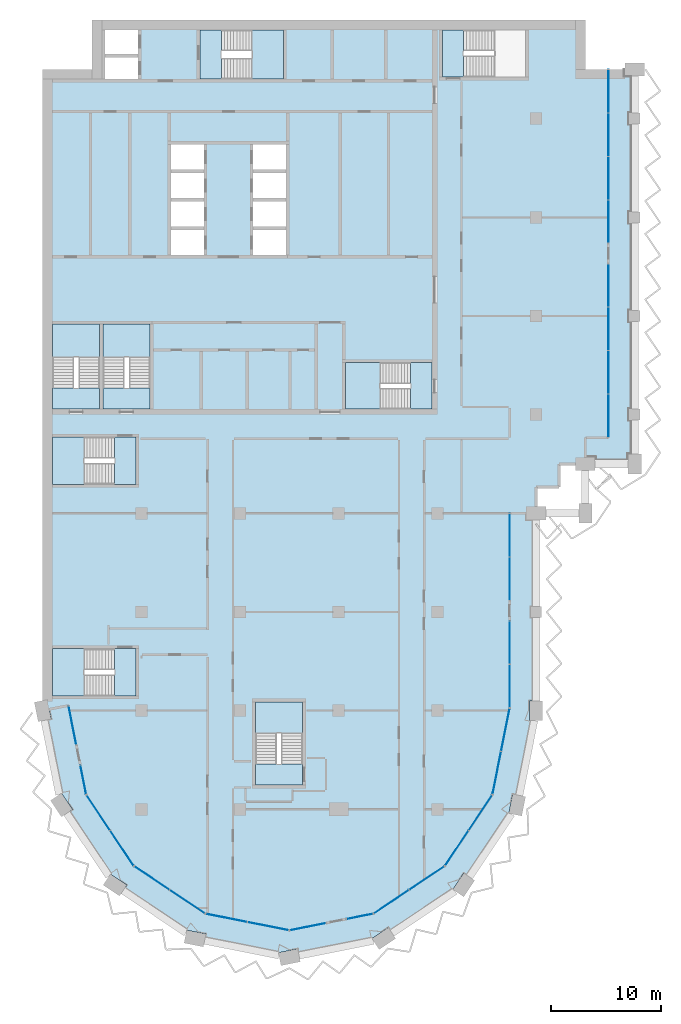
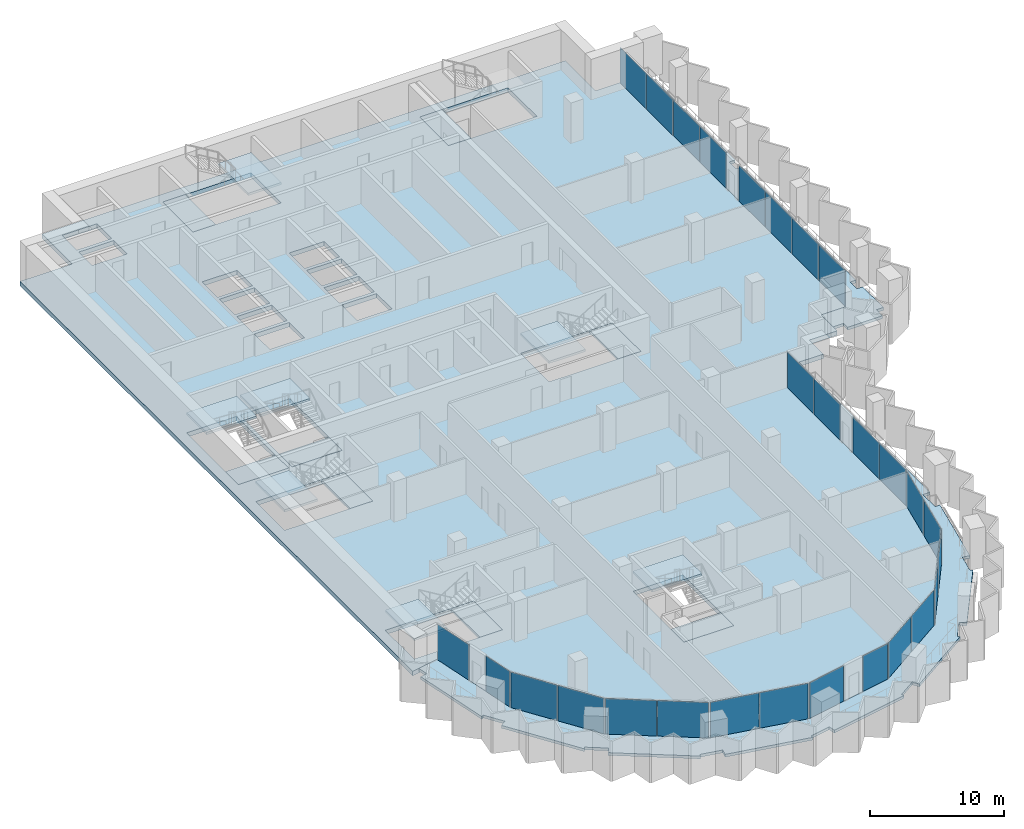
# One storey, part 6 of 17: 28 plates, 18 slabs, 21 elements without a shape of their own.
"""IFC4 building model written with IfcOpenShell, lengths in metres."""

from ifc_helpers import new_model, si_unit, direction, frame, origin, origin_2d, place, context, subcontext, project, spatial, polyline, rectangle, outline, extrude, material, layer, layer_set, type_object, element, aggregate, save


model = new_model("IFC4")

# Units and contexts
model_context = context("Model", 3, precision=1e-05, world=origin(), true_north=direction((0.0, 1.0)))
body_context = subcontext(model_context, "Body", "Model", "MODEL_VIEW")
ifc_project = project(units=[si_unit("LENGTHUNIT", "METRE"), si_unit("AREAUNIT", "SQUARE_METRE"), si_unit("VOLUMEUNIT", "CUBIC_METRE"), si_unit("PLANEANGLEUNIT", "RADIAN"), si_unit("MASSUNIT", "GRAM", prefix="KILO")], contexts=[model_context])

# Site, building, storey
site_placement = place(None, origin())
site = spatial("IfcSite", under=ifc_project, at=site_placement, CompositionType="ELEMENT")
building_placement = place(site_placement, origin())
building = spatial("IfcBuilding", under=site, at=building_placement, Name="Hunhe Ridgeline Campus", CompositionType="ELEMENT")
storey_placement = place(building_placement, frame((0.0, 0.0, 190.199951171875)))
storey = spatial("IfcBuildingStorey", under=building, at=storey_placement, Name="L48", CompositionType="ELEMENT", Elevation=190.199951171875)

# Curtain wall, plate
ifc_material_1 = material(Name="Aluminium 6063", Category="aluminium")
curtain_wall_type_1 = type_object("IfcCurtainWallType", Name="Curtain wall CW-5", PredefinedType="NOTDEFINED", material=ifc_material_1)
curtain_wall_1_placement = place(storey_placement, origin())
curtain_wall_1 = element("IfcCurtainWall", 1, at=curtain_wall_1_placement, inside=storey, type_object=curtain_wall_type_1, Name="Curtain wall 01", PredefinedType="NOTDEFINED")
ifc_material_2 = material(Name="Low-e laminated glass", Category="glass")
ifc_layer_1 = layer(ifc_material_2, 0.028076171875)
ifc_layer_set_1 = layer_set([ifc_layer_1], Name="Curtain wall glass panel 28 low-e laminated")
plate_type = type_object("IfcPlateType", Name="Curtain wall glass panel 28 low-e laminated", PredefinedType="CURTAIN_PANEL", material=ifc_layer_set_1)
plate_1_placement = place(storey_placement, frame((2.7158203125, 34.65380859375, 0.0), z_axis=(0.0, 0.0, 1.0), x_axis=(0.195095326561, -0.980784284924, 0.0)))
plate_1 = element("IfcPlate", 2, at=plate_1_placement, type_object=plate_type, Name="CW-5 panel 1", PredefinedType="CURTAIN_PANEL", context=body_context, shape_type="SweptSolid", body=[
    extrude(rectangle(XDim=3.560791015625, YDim=0.028076171875, at=origin_2d()), origin(), (0.0, 0.0, 1.0), 3.22998046875),
])
aggregate(curtain_wall_1, [plate_1])

curtain_wall_2_placement = place(storey_placement, origin())
curtain_wall_2 = element("IfcCurtainWall", 3, at=curtain_wall_2_placement, inside=storey, type_object=curtain_wall_type_1, Name="Curtain wall 02", PredefinedType="NOTDEFINED")
plate_2_placement = place(storey_placement, frame((3.701171875, 29.699951171875, 0.0), z_axis=(0.0, 0.0, 1.0), x_axis=(0.195095265587, -0.980784297053, 0.0)))
plate_2 = element("IfcPlate", 4, at=plate_2_placement, type_object=plate_type, Name="CW-5 panel 1", PredefinedType="CURTAIN_PANEL", context=body_context, shape_type="SweptSolid", body=[
    extrude(rectangle(XDim=2.660888671875, YDim=0.028076171875, at=origin_2d()), origin(), (0.0, 0.0, 1.0), 3.22998046875),
])
aggregate(curtain_wall_2, [plate_2])

# Curtain wall, plates
curtain_wall_3_placement = place(storey_placement, origin())
curtain_wall_3 = element("IfcCurtainWall", 5, at=curtain_wall_3_placement, inside=storey, type_object=curtain_wall_type_1, Name="Curtain wall 03", PredefinedType="NOTDEFINED")
plate_3_placement = place(storey_placement, frame((5.07080078125, 26.685546875, 0.0), z_axis=(0.0, 0.0, 1.0), x_axis=(0.555570274596, -0.831469584522, 0.0)))
plate_3 = element("IfcPlate", 6, at=plate_3_placement, type_object=plate_type, Name="CW-5 panel 1", PredefinedType="CURTAIN_PANEL", context=body_context, shape_type="SweptSolid", body=[
    extrude(rectangle(XDim=3.806884765625, YDim=0.028076171875, at=origin_2d()), origin(), (0.0, 0.0, 1.0), 3.22998046875),
])
plate_4_placement = place(storey_placement, frame((7.224609375, 23.4619140625, 0.0), z_axis=(0.0, 0.0, 1.0), x_axis=(0.555570274596, -0.831469584522, 0.0)))
plate_4 = element("IfcPlate", 7, at=plate_4_placement, type_object=plate_type, Name="CW-5 panel 2", PredefinedType="CURTAIN_PANEL", context=body_context, shape_type="SweptSolid", body=[
    extrude(rectangle(XDim=3.806884765625, YDim=0.028076171875, at=origin_2d()), origin(), (0.0, 0.0, 1.0), 3.22998046875),
])
aggregate(curtain_wall_3, [plate_3, plate_4])

curtain_wall_4_placement = place(storey_placement, origin())
curtain_wall_4 = element("IfcCurtainWall", 8, at=curtain_wall_4_placement, inside=storey, type_object=curtain_wall_type_1, Name="Curtain wall 04", PredefinedType="NOTDEFINED")
plate_5_placement = place(storey_placement, frame((9.9619140625, 20.724609375, 0.0), z_axis=(0.0, 0.0, 1.0), x_axis=(0.831469584522, -0.555570274596, 0.0)))
plate_5 = element("IfcPlate", 9, at=plate_5_placement, type_object=plate_type, Name="CW-5 panel 1", PredefinedType="CURTAIN_PANEL", context=body_context, shape_type="SweptSolid", body=[
    extrude(rectangle(XDim=3.806884765625, YDim=0.028076171875, at=origin_2d()), origin(), (0.0, 0.0, 1.0), 3.22998046875),
])
plate_6_placement = place(storey_placement, frame((13.185546875, 18.57080078125, 0.0), z_axis=(0.0, 0.0, 1.0), x_axis=(0.831469584522, -0.555570274596, 0.0)))
plate_6 = element("IfcPlate", 10, at=plate_6_placement, type_object=plate_type, Name="CW-5 panel 2", PredefinedType="CURTAIN_PANEL", context=body_context, shape_type="SweptSolid", body=[
    extrude(rectangle(XDim=3.806884765625, YDim=0.028076171875, at=origin_2d()), origin(), (0.0, 0.0, 1.0), 3.22998046875),
])
aggregate(curtain_wall_4, [plate_5, plate_6])

curtain_wall_5_placement = place(storey_placement, origin())
curtain_wall_5 = element("IfcCurtainWall", 11, at=curtain_wall_5_placement, inside=storey, type_object=curtain_wall_type_1, Name="Curtain wall 05", PredefinedType="NOTDEFINED")
plate_7_placement = place(storey_placement, frame((16.761962890625, 17.08935546875, 0.0), z_axis=(0.0, 0.0, 1.0), x_axis=(0.980785275326, -0.195090347539, 0.0)))
plate_7 = element("IfcPlate", 12, at=plate_7_placement, type_object=plate_type, Name="CW-5 panel 1", PredefinedType="CURTAIN_PANEL", context=body_context, shape_type="SweptSolid", body=[
    extrude(rectangle(XDim=3.806884765625, YDim=0.028076171875, at=origin_2d()), origin(), (0.0, 0.0, 1.0), 3.22998046875),
])
plate_8_placement = place(storey_placement, frame((20.564453125, 16.3330078125, 0.0), z_axis=(0.0, 0.0, 1.0), x_axis=(0.980785275326, -0.195090347539, 0.0)))
plate_8 = element("IfcPlate", 13, at=plate_8_placement, type_object=plate_type, Name="CW-5 panel 2", PredefinedType="CURTAIN_PANEL", context=body_context, shape_type="SweptSolid", body=[
    extrude(rectangle(XDim=3.806884765625, YDim=0.028076171875, at=origin_2d()), origin(), (0.0, 0.0, 1.0), 3.22998046875),
])
aggregate(curtain_wall_5, [plate_7, plate_8])

# Curtain wall, plate
curtain_wall_6_placement = place(storey_placement, origin())
curtain_wall_6 = element("IfcCurtainWall", 14, at=curtain_wall_6_placement, inside=storey, type_object=curtain_wall_type_1, Name="Curtain wall 06", PredefinedType="NOTDEFINED")
plate_9_placement = place(storey_placement, frame((24.19775390625, 16.28564453125, 0.0), z_axis=(0.0, 0.0, 1.0), x_axis=(0.980785270791, 0.19509037034, 0.0)))
plate_9 = element("IfcPlate", 15, at=plate_9_placement, type_object=plate_type, Name="CW-5 panel 1", PredefinedType="CURTAIN_PANEL", context=body_context, shape_type="SweptSolid", body=[
    extrude(rectangle(XDim=3.322021484375, YDim=0.028076171875, at=origin_2d()), origin(), (0.0, 0.0, 1.0), 3.22998046875),
])
aggregate(curtain_wall_6, [plate_9])

curtain_wall_7_placement = place(storey_placement, origin())
curtain_wall_7 = element("IfcCurtainWall", 16, at=curtain_wall_7_placement, inside=storey, type_object=curtain_wall_type_1, Name="Curtain wall 07", PredefinedType="NOTDEFINED")
plate_10_placement = place(storey_placement, frame((28.917236328125, 17.224609375, 0.0), z_axis=(0.0, 0.0, 1.0), x_axis=(0.980785242091, 0.195090514627, 0.0)))
plate_10 = element("IfcPlate", 17, at=plate_10_placement, type_object=plate_type, Name="CW-5 panel 1", PredefinedType="CURTAIN_PANEL", context=body_context, shape_type="SweptSolid", body=[
    extrude(rectangle(XDim=2.421875, YDim=0.028076171875, at=origin_2d()), origin(), (0.0, 0.0, 1.0), 3.22998046875),
])
aggregate(curtain_wall_7, [plate_10])

# Curtain wall, plates
curtain_wall_8_placement = place(storey_placement, origin())
curtain_wall_8 = element("IfcCurtainWall", 18, at=curtain_wall_8_placement, inside=storey, type_object=curtain_wall_type_1, Name="Curtain wall 08", PredefinedType="NOTDEFINED")
plate_11_placement = place(storey_placement, frame((31.814453125, 18.57080078125, 0.0), z_axis=(0.0, 0.0, 1.0), x_axis=(0.831469584522, 0.555570274596, 0.0)))
plate_11 = element("IfcPlate", 19, at=plate_11_placement, type_object=plate_type, Name="CW-5 panel 1", PredefinedType="CURTAIN_PANEL", context=body_context, shape_type="SweptSolid", body=[
    extrude(rectangle(XDim=3.806884765625, YDim=0.028076171875, at=origin_2d()), origin(), (0.0, 0.0, 1.0), 3.22998046875),
])
plate_12_placement = place(storey_placement, frame((35.0380859375, 20.724609375, 0.0), z_axis=(0.0, 0.0, 1.0), x_axis=(0.831469584522, 0.555570274596, 0.0)))
plate_12 = element("IfcPlate", 20, at=plate_12_placement, type_object=plate_type, Name="CW-5 panel 2", PredefinedType="CURTAIN_PANEL", context=body_context, shape_type="SweptSolid", body=[
    extrude(rectangle(XDim=3.806884765625, YDim=0.028076171875, at=origin_2d()), origin(), (0.0, 0.0, 1.0), 3.22998046875),
])
aggregate(curtain_wall_8, [plate_11, plate_12])

curtain_wall_9_placement = place(storey_placement, origin())
curtain_wall_9 = element("IfcCurtainWall", 21, at=curtain_wall_9_placement, inside=storey, type_object=curtain_wall_type_1, Name="Curtain wall 09", PredefinedType="NOTDEFINED")
plate_13_placement = place(storey_placement, frame((37.775390625, 23.4619140625, 0.0), z_axis=(0.0, 0.0, 1.0), x_axis=(0.555570274596, 0.831469584522, 0.0)))
plate_13 = element("IfcPlate", 22, at=plate_13_placement, type_object=plate_type, Name="CW-5 panel 1", PredefinedType="CURTAIN_PANEL", context=body_context, shape_type="SweptSolid", body=[
    extrude(rectangle(XDim=3.806884765625, YDim=0.028076171875, at=origin_2d()), origin(), (0.0, 0.0, 1.0), 3.22998046875),
])
plate_14_placement = place(storey_placement, frame((39.92919921875, 26.685546875, 0.0), z_axis=(0.0, 0.0, 1.0), x_axis=(0.555570274596, 0.831469584522, 0.0)))
plate_14 = element("IfcPlate", 23, at=plate_14_placement, type_object=plate_type, Name="CW-5 panel 2", PredefinedType="CURTAIN_PANEL", context=body_context, shape_type="SweptSolid", body=[
    extrude(rectangle(XDim=3.806884765625, YDim=0.028076171875, at=origin_2d()), origin(), (0.0, 0.0, 1.0), 3.22998046875),
])
aggregate(curtain_wall_9, [plate_13, plate_14])

curtain_wall_10_placement = place(storey_placement, origin())
curtain_wall_10 = element("IfcCurtainWall", 24, at=curtain_wall_10_placement, inside=storey, type_object=curtain_wall_type_1, Name="Curtain wall 10", PredefinedType="NOTDEFINED")
plate_15_placement = place(storey_placement, frame((41.42236328125, 30.321044921875, 0.0), z_axis=(0.0, 0.0, 1.0), x_axis=(0.195090299215, 0.980785284939, 0.0)))
plate_15 = element("IfcPlate", 25, at=plate_15_placement, type_object=plate_type, Name="CW-5 panel 1", PredefinedType="CURTAIN_PANEL", context=body_context, shape_type="SweptSolid", body=[
    extrude(rectangle(XDim=3.927490234375, YDim=0.028076171875, at=origin_2d()), origin(), (0.0, 0.0, 1.0), 3.22998046875),
])
plate_16_placement = place(storey_placement, frame((42.2021484375, 34.24169921875, 0.0), z_axis=(0.0, 0.0, 1.0), x_axis=(0.195090299215, 0.980785284939, 0.0)))
plate_16 = element("IfcPlate", 26, at=plate_16_placement, type_object=plate_type, Name="CW-5 panel 2", PredefinedType="CURTAIN_PANEL", context=body_context, shape_type="SweptSolid", body=[
    extrude(rectangle(XDim=3.927490234375, YDim=0.028076171875, at=origin_2d()), origin(), (0.0, 0.0, 1.0), 3.22998046875),
])
aggregate(curtain_wall_10, [plate_15, plate_16])

curtain_wall_type_2 = type_object("IfcCurtainWallType", Name="Curtain wall CW-1", PredefinedType="NOTDEFINED", material=ifc_material_1)
curtain_wall_11_placement = place(storey_placement, origin())
curtain_wall_11 = element("IfcCurtainWall", 27, at=curtain_wall_11_placement, inside=storey, type_object=curtain_wall_type_2, Name="Curtain wall 11", PredefinedType="NOTDEFINED")
plate_17_placement = place(storey_placement, frame((42.59912109375, 38.2470703125, 0.0), z_axis=(0.0, 0.0, 1.0), x_axis=(6.639948e-06, 0.999999999978, 0.0)))
plate_17 = element("IfcPlate", 28, at=plate_17_placement, type_object=plate_type, Name="CW-1 panel 1", PredefinedType="CURTAIN_PANEL", context=body_context, shape_type="SweptSolid", body=[
    extrude(rectangle(XDim=3.90087890625, YDim=0.028076171875, at=origin_2d()), origin(), (0.0, 0.0, 1.0), 3.239990234375),
])
plate_18_placement = place(storey_placement, frame((42.59912109375, 42.2080078125, 0.0), z_axis=(0.0, 0.0, 1.0), x_axis=(6.639948e-06, 0.999999999978, 0.0)))
plate_18 = element("IfcPlate", 29, at=plate_18_placement, type_object=plate_type, Name="CW-1 panel 2", PredefinedType="CURTAIN_PANEL", context=body_context, shape_type="SweptSolid", body=[
    extrude(rectangle(XDim=3.90087890625, YDim=0.028076171875, at=origin_2d()), origin(), (0.0, 0.0, 1.0), 3.239990234375),
])
aggregate(curtain_wall_11, [plate_17, plate_18])

curtain_wall_12_placement = place(storey_placement, origin())
curtain_wall_12 = element("IfcCurtainWall", 30, at=curtain_wall_12_placement, inside=storey, type_object=curtain_wall_type_2, Name="Curtain wall 12", PredefinedType="NOTDEFINED")
plate_19_placement = place(storey_placement, frame((42.59912109375, 48.029052734375, 0.0), z_axis=(0.0, 0.0, 1.0), x_axis=(6.639948e-06, 0.999999999978, 0.0)))
plate_19 = element("IfcPlate", 31, at=plate_19_placement, type_object=plate_type, Name="CW-1 panel 1", PredefinedType="CURTAIN_PANEL", context=body_context, shape_type="SweptSolid", body=[
    extrude(rectangle(XDim=3.90087890625, YDim=0.028076171875, at=origin_2d()), origin(), (0.0, 0.0, 1.0), 3.239990234375),
])
plate_20_placement = place(storey_placement, frame((42.59912109375, 51.989990234375, 0.0), z_axis=(0.0, 0.0, 1.0), x_axis=(6.639948e-06, 0.999999999978, 0.0)))
plate_20 = element("IfcPlate", 32, at=plate_20_placement, type_object=plate_type, Name="CW-1 panel 2", PredefinedType="CURTAIN_PANEL", context=body_context, shape_type="SweptSolid", body=[
    extrude(rectangle(XDim=3.90087890625, YDim=0.028076171875, at=origin_2d()), origin(), (0.0, 0.0, 1.0), 3.239990234375),
])
aggregate(curtain_wall_12, [plate_19, plate_20])

curtain_wall_13_placement = place(storey_placement, origin())
curtain_wall_13 = element("IfcCurtainWall", 33, at=curtain_wall_13_placement, inside=storey, type_object=curtain_wall_type_2, Name="Curtain wall 13", PredefinedType="NOTDEFINED")
plate_21_placement = place(storey_placement, frame((51.59912109375, 62.9033203125, 0.0), z_axis=(0.0, 0.0, 1.0), x_axis=(0.0, 1.0, 0.0)))
plate_21 = element("IfcPlate", 34, at=plate_21_placement, type_object=plate_type, Name="CW-1 panel 1", PredefinedType="CURTAIN_PANEL", context=body_context, shape_type="SweptSolid", body=[
    extrude(rectangle(XDim=3.884765625, YDim=0.028076171875, at=origin_2d()), origin(), (0.0, 0.0, 1.0), 3.239990234375),
])
plate_22_placement = place(storey_placement, frame((51.59912109375, 66.86328125, 0.0), z_axis=(0.0, 0.0, 1.0), x_axis=(0.0, 1.0, 0.0)))
plate_22 = element("IfcPlate", 35, at=plate_22_placement, type_object=plate_type, Name="CW-1 panel 2", PredefinedType="CURTAIN_PANEL", context=body_context, shape_type="SweptSolid", body=[
    extrude(rectangle(XDim=3.914794921875, YDim=0.028076171875, at=origin_2d()), origin(), (0.0, 0.0, 1.0), 3.239990234375),
])
plate_23_placement = place(storey_placement, frame((51.59912109375, 70.838134765625, 0.0), z_axis=(0.0, 0.0, 1.0), x_axis=(0.0, 1.0, 0.0)))
plate_23 = element("IfcPlate", 36, at=plate_23_placement, type_object=plate_type, Name="CW-1 panel 3", PredefinedType="CURTAIN_PANEL", context=body_context, shape_type="SweptSolid", body=[
    extrude(rectangle(XDim=3.914794921875, YDim=0.028076171875, at=origin_2d()), origin(), (0.0, 0.0, 1.0), 3.239990234375),
])
plate_24_placement = place(storey_placement, frame((51.59912109375, 74.798095703125, 0.0), z_axis=(0.0, 0.0, 1.0), x_axis=(0.0, 1.0, 0.0)))
plate_24 = element("IfcPlate", 37, at=plate_24_placement, type_object=plate_type, Name="CW-1 panel 4", PredefinedType="CURTAIN_PANEL", context=body_context, shape_type="SweptSolid", body=[
    extrude(rectangle(XDim=3.884765625, YDim=0.028076171875, at=origin_2d()), origin(), (0.0, 0.0, 1.0), 3.239990234375),
])
aggregate(curtain_wall_13, [plate_21, plate_22, plate_23, plate_24])

curtain_wall_14_placement = place(storey_placement, origin())
curtain_wall_14 = element("IfcCurtainWall", 38, at=curtain_wall_14_placement, inside=storey, type_object=curtain_wall_type_2, Name="Curtain wall 14", PredefinedType="NOTDEFINED")
plate_25_placement = place(storey_placement, frame((51.59912109375, 80.60302734375, 0.0), z_axis=(0.0, 0.0, 1.0), x_axis=(0.0, 1.0, 0.0)))
plate_25 = element("IfcPlate", 39, at=plate_25_placement, type_object=plate_type, Name="CW-1 panel 1", PredefinedType="CURTAIN_PANEL", context=body_context, shape_type="SweptSolid", body=[
    extrude(rectangle(XDim=3.884765625, YDim=0.028076171875, at=origin_2d()), origin(), (0.0, 0.0, 1.0), 3.239990234375),
])
plate_26_placement = place(storey_placement, frame((51.59912109375, 84.562744140625, 0.0), z_axis=(0.0, 0.0, 1.0), x_axis=(0.0, 1.0, 0.0)))
plate_26 = element("IfcPlate", 40, at=plate_26_placement, type_object=plate_type, Name="CW-1 panel 2", PredefinedType="CURTAIN_PANEL", context=body_context, shape_type="SweptSolid", body=[
    extrude(rectangle(XDim=3.914794921875, YDim=0.028076171875, at=origin_2d()), origin(), (0.0, 0.0, 1.0), 3.239990234375),
])
plate_27_placement = place(storey_placement, frame((51.59912109375, 88.53759765625, 0.0), z_axis=(0.0, 0.0, 1.0), x_axis=(0.0, 1.0, 0.0)))
plate_27 = element("IfcPlate", 41, at=plate_27_placement, type_object=plate_type, Name="CW-1 panel 3", PredefinedType="CURTAIN_PANEL", context=body_context, shape_type="SweptSolid", body=[
    extrude(rectangle(XDim=3.914794921875, YDim=0.028076171875, at=origin_2d()), origin(), (0.0, 0.0, 1.0), 3.239990234375),
])
plate_28_placement = place(storey_placement, frame((51.59912109375, 92.49755859375, 0.0), z_axis=(0.0, 0.0, 1.0), x_axis=(0.0, 1.0, 0.0)))
plate_28 = element("IfcPlate", 42, at=plate_28_placement, type_object=plate_type, Name="CW-1 panel 4", PredefinedType="CURTAIN_PANEL", context=body_context, shape_type="SweptSolid", body=[
    extrude(rectangle(XDim=3.884765625, YDim=0.028076171875, at=origin_2d()), origin(), (0.0, 0.0, 1.0), 3.239990234375),
])
aggregate(curtain_wall_14, [plate_25, plate_26, plate_27, plate_28])

# Slabs
ifc_material_3 = material(Name="Concrete C40", Category="concrete")
ifc_layer_2 = layer(ifc_material_3, 0.39990234375)
ifc_layer_set_2 = layer_set([ifc_layer_2], Name="Floor slab 400 Concrete C40")
slab_type_1 = type_object("IfcSlabType", Name="Floor slab 400 Concrete C40", PredefinedType="FLOOR", material=ifc_layer_set_2)
slab_1_placement = place(storey_placement, frame((0.0, 0.0, -0.39990234375)))
element("IfcSlab", 43, at=slab_1_placement, inside=storey, type_object=slab_type_1, Name="Floor slab L48 1", PredefinedType="FLOOR", context=body_context, shape_type="SweptSolid", body=[
    extrude(outline(polyline([(30.173583984375, 17.474365234375), (36.678955078125, 21.821044921875), (41.025634765625, 28.326416015625), (42.59912109375, 36.236572265625), (42.59912109375, 54.00048828125), (44.9990234375, 54.0009765625), (44.999267578125, 56.400634765625), (47.09912109375, 56.40087890625), (47.099609375, 58.5009765625), (49.4990234375, 58.5009765625), (49.49951171875, 60.90087890625), (51.59912109375, 60.90087890625), (51.59912109375, 94.5), (49.5, 94.5), (49.5, 99.0), (4.5, 99.0), (4.5, 94.5), (0.0, 94.5), (0.0, 36.0009765625), (2.354736328125, 36.46875), (3.974365234375, 28.326416015625), (8.321044921875, 21.821044921875), (14.826416015625, 17.474365234375), (22.5, 15.947998046875), (30.173583984375, 17.474365234375)]), holes=[polyline([(36.449951171875, 93.800048828125), (44.050048828125, 93.800048828125), (44.050048828125, 98.10009765625), (36.449951171875, 98.10009765625), (36.449951171875, 93.800048828125)]), polyline([(35.5, 63.5), (35.5, 67.75), (27.60009765625, 67.75), (27.60009765625, 63.5), (35.5, 63.5)]), polyline([(19.39990234375, 29.199951171875), (23.699951171875, 29.199951171875), (23.699951171875, 36.800048828125), (19.39990234375, 36.800048828125), (19.39990234375, 29.199951171875)]), polyline([(22.199951171875, 80.14990234375), (22.199951171875, 82.449951171875), (19.199951171875, 82.449951171875), (19.199951171875, 80.14990234375), (22.199951171875, 80.14990234375)]), polyline([(22.199951171875, 79.85009765625), (19.199951171875, 79.85009765625), (19.199951171875, 77.550048828125), (22.199951171875, 77.550048828125), (22.199951171875, 79.85009765625)]), polyline([(19.199951171875, 87.64990234375), (19.199951171875, 85.35009765625), (22.199951171875, 85.35009765625), (22.199951171875, 87.64990234375), (19.199951171875, 87.64990234375)]), polyline([(19.199951171875, 82.75), (22.199951171875, 82.75), (22.199951171875, 85.050048828125), (19.199951171875, 85.050048828125), (19.199951171875, 82.75)]), polyline([(14.35009765625, 93.60009765625), (21.949951171875, 93.60009765625), (21.949951171875, 98.10009765625), (14.35009765625, 98.10009765625), (14.35009765625, 93.60009765625)]), polyline([(14.699951171875, 79.85009765625), (11.699951171875, 79.85009765625), (11.699951171875, 77.550048828125), (14.699951171875, 77.550048828125), (14.699951171875, 79.85009765625)]), polyline([(14.699951171875, 80.14990234375), (14.699951171875, 82.449951171875), (11.699951171875, 82.449951171875), (11.699951171875, 80.14990234375), (14.699951171875, 80.14990234375)]), polyline([(11.699951171875, 87.64990234375), (11.699951171875, 85.35009765625), (14.699951171875, 85.35009765625), (14.699951171875, 87.64990234375), (11.699951171875, 87.64990234375)]), polyline([(11.699951171875, 82.75), (14.699951171875, 82.75), (14.699951171875, 85.050048828125), (11.699951171875, 85.050048828125), (11.699951171875, 82.75)]), polyline([(9.800048828125, 71.25), (5.5, 71.25), (5.5, 63.5), (9.800048828125, 63.5), (9.800048828125, 71.25)]), polyline([(8.699951171875, 95.89990234375), (8.699951171875, 98.10009765625), (5.699951171875, 98.10009765625), (5.699951171875, 95.89990234375), (8.699951171875, 95.89990234375)]), polyline([(8.699951171875, 95.60009765625), (5.699951171875, 95.60009765625), (5.699951171875, 93.60009765625), (8.699951171875, 93.60009765625), (8.699951171875, 95.60009765625)]), polyline([(0.89990234375, 37.35009765625), (8.5, 37.35009765625), (8.5, 41.64990234375), (0.89990234375, 41.64990234375), (0.89990234375, 37.35009765625)]), polyline([(0.89990234375, 60.949951171875), (0.89990234375, 56.64990234375), (8.5, 56.64990234375), (8.5, 60.949951171875), (0.89990234375, 60.949951171875)]), polyline([(0.89990234375, 71.25), (0.89990234375, 63.5), (5.199951171875, 63.5), (5.199951171875, 71.25), (0.89990234375, 71.25)])]), origin(), (0.0, 0.0, 1.0), 0.39990234375),
])
ifc_layer_3 = layer(ifc_material_3, 0.25)
ifc_layer_set_3 = layer_set([ifc_layer_3], Name="Loggia slab 250 Concrete C40")
slab_type_2 = type_object("IfcSlabType", Name="Loggia slab 250 Concrete C40", PredefinedType="FLOOR", material=ifc_layer_set_3)
slab_2_placement = place(storey_placement, frame((0.0, 0.0, -0.25)))
element("IfcSlab", 44, at=slab_2_placement, inside=storey, type_object=slab_type_2, Name="Loggia slab 1", PredefinedType="FLOOR", context=body_context, shape_type="SweptSolid", body=[
    extrude(outline(polyline([(30.173828125, 17.473388671875), (22.5, 15.947021484375), (14.826171875, 17.473388671875), (8.3203125, 21.8203125), (3.973388671875, 28.326171875), (2.35400390625, 36.46826171875), (0.58837890625, 36.116943359375), (0.76416015625, 35.234375), (0.175537109375, 35.1171875), (1.522705078125, 28.344970703125), (1.711669921875, 28.47119140625), (2.711669921875, 26.974609375), (2.212646484375, 26.641357421875), (6.048828125, 20.900146484375), (6.175048828125, 21.089111328125), (7.671875, 20.0888671875), (7.33837890625, 19.590087890625), (13.07958984375, 15.75390625), (13.1240234375, 15.976806640625), (14.889404296875, 15.62548828125), (14.772216796875, 15.037109375), (21.544677734375, 13.68994140625), (21.500244140625, 13.912841796875), (23.265625, 14.26416015625), (23.3828125, 13.675537109375), (30.155029296875, 15.022705078125), (30.02880859375, 15.211669921875), (31.525390625, 16.211669921875), (31.858642578125, 15.712646484375), (37.599853515625, 19.548828125), (37.410888671875, 19.675048828125), (38.4111328125, 21.171875), (38.909912109375, 20.83837890625), (42.74609375, 26.57958984375), (42.523193359375, 26.6240234375), (42.87451171875, 28.389404296875), (43.462890625, 28.272216796875), (44.821044921875, 35.10009765625), (44.39990234375, 35.10009765625), (44.39990234375, 36.89990234375), (45.0, 36.89990234375), (45.0, 44.5), (44.5, 44.5), (44.5, 45.5), (45.0, 45.5), (45.0, 53.39990234375), (44.10009765625, 53.39990234375), (44.10009765625, 54.0), (42.60009765625, 54.0), (42.60009765625, 36.236328125), (41.026611328125, 28.326171875), (36.6796875, 21.8203125), (30.173828125, 17.473388671875)])), origin(), (0.0, 0.0, 1.0), 0.25),
])
slab_3_placement = place(storey_placement, frame((0.0, 0.0, -0.25)))
element("IfcSlab", 45, at=slab_3_placement, inside=storey, type_object=slab_type_2, Name="Loggia slab 2", PredefinedType="FLOOR", context=body_context, shape_type="SweptSolid", body=[
    extrude(outline(polyline([(49.5, 59.10009765625), (50.39990234375, 59.10009765625), (50.39990234375, 58.5), (53.39990234375, 58.5), (53.39990234375, 59.39990234375), (54.0, 59.39990234375), (54.0, 62.5), (53.5, 62.5), (53.5, 63.5), (54.0, 63.5), (54.0, 71.5), (53.5, 71.5), (53.5, 72.5), (54.0, 72.5), (54.0, 80.5), (53.5, 80.5), (53.5, 81.5), (54.0, 81.5), (54.0, 89.5), (53.5, 89.5), (53.5, 90.5), (54.0, 90.5), (54.0, 93.89990234375), (53.10009765625, 93.89990234375), (53.10009765625, 94.5), (51.60009765625, 94.5), (51.60009765625, 60.89990234375), (49.5, 60.89990234375), (49.5, 59.10009765625)])), origin(), (0.0, 0.0, 1.0), 0.25),
])

# Stair, slab
stair_type = type_object("IfcStairType", Name="Reinforced concrete dog-leg stair 1950 Concrete C40", PredefinedType="HALF_TURN_STAIR", material=ifc_material_3)
stair_1_placement = place(storey_placement, origin())
stair_1 = element("IfcStair", 46, at=stair_1_placement, inside=storey, type_object=stair_type, Name="L48 S1", PredefinedType="HALF_TURN_STAIR")
ifc_layer_4 = layer(ifc_material_3, 0.199951171875)
ifc_layer_set_4 = layer_set([ifc_layer_4], Name="Reinforced concrete stair landing 200 Concrete C40")
slab_type_3 = type_object("IfcSlabType", Name="Reinforced concrete stair landing 200 Concrete C40", PredefinedType="LANDING", material=ifc_layer_set_4)
slab_4_placement = place(storey_placement, frame((0.0, 0.0, 1.650146484375)))
slab_4 = element("IfcSlab", 47, at=slab_4_placement, type_object=slab_type_3, Name="ST1 landing 1", PredefinedType="LANDING", context=body_context, shape_type="SweptSolid", body=[
    extrude(outline(polyline([(19.10009765625, 93.60009765625), (21.949951171875, 93.60009765625), (21.949951171875, 98.10009765625), (19.10009765625, 98.10009765625), (19.10009765625, 93.60009765625)])), origin(), (0.0, 0.0, 1.0), 0.199951171875),
])
aggregate(stair_1, [slab_4])

# Slab
slab_5_placement = place(storey_placement, frame((0.0, 0.0, -0.199951171875)))
element("IfcSlab", 48, at=slab_5_placement, inside=storey, type_object=slab_type_3, Name="L48 stair S1 floor landing", PredefinedType="LANDING", context=body_context, shape_type="SweptSolid", body=[
    extrude(outline(polyline([(14.35009765625, 93.60009765625), (16.300048828125, 93.60009765625), (16.300048828125, 98.10009765625), (14.35009765625, 98.10009765625), (14.35009765625, 93.60009765625)])), origin(), (0.0, 0.0, 1.0), 0.199951171875),
])

# Stair, slab
stair_2_placement = place(storey_placement, origin())
stair_2 = element("IfcStair", 49, at=stair_2_placement, inside=storey, type_object=stair_type, Name="L48 S2", PredefinedType="HALF_TURN_STAIR")
slab_6_placement = place(storey_placement, frame((0.0, 0.0, 1.650146484375)))
slab_6 = element("IfcSlab", 50, at=slab_6_placement, type_object=slab_type_3, Name="ST2 landing 1", PredefinedType="LANDING", context=body_context, shape_type="SweptSolid", body=[
    extrude(outline(polyline([(30.75, 67.75), (27.60009765625, 67.75), (27.60009765625, 63.5), (30.75, 63.5), (30.75, 67.75)])), origin(), (0.0, 0.0, 1.0), 0.199951171875),
])
aggregate(stair_2, [slab_6])

# Slab
slab_7_placement = place(storey_placement, frame((0.0, 0.0, -0.199951171875)))
element("IfcSlab", 51, at=slab_7_placement, inside=storey, type_object=slab_type_3, Name="L48 stair S2 floor landing", PredefinedType="LANDING", context=body_context, shape_type="SweptSolid", body=[
    extrude(outline(polyline([(35.5, 67.75), (33.550048828125, 67.75), (33.550048828125, 63.5), (35.5, 63.5), (35.5, 67.75)])), origin(), (0.0, 0.0, 1.0), 0.199951171875),
])

# Stair, slab
stair_3_placement = place(storey_placement, origin())
stair_3 = element("IfcStair", 52, at=stair_3_placement, inside=storey, type_object=stair_type, Name="L48 S3", PredefinedType="HALF_TURN_STAIR")
slab_8_placement = place(storey_placement, frame((0.0, 0.0, 1.650146484375)))
slab_8 = element("IfcSlab", 53, at=slab_8_placement, type_object=slab_type_3, Name="ST3 landing 1", PredefinedType="LANDING", context=body_context, shape_type="SweptSolid", body=[
    extrude(outline(polyline([(5.199951171875, 68.25), (5.199951171875, 71.25), (0.89990234375, 71.25), (0.89990234375, 68.25), (5.199951171875, 68.25)])), origin(), (0.0, 0.0, 1.0), 0.199951171875),
])
aggregate(stair_3, [slab_8])

# Slab
slab_9_placement = place(storey_placement, frame((0.0, 0.0, -0.199951171875)))
element("IfcSlab", 54, at=slab_9_placement, inside=storey, type_object=slab_type_3, Name="L48 stair S3 floor landing", PredefinedType="LANDING", context=body_context, shape_type="SweptSolid", body=[
    extrude(outline(polyline([(5.199951171875, 63.5), (5.199951171875, 65.449951171875), (0.89990234375, 65.449951171875), (0.89990234375, 63.5), (5.199951171875, 63.5)])), origin(), (0.0, 0.0, 1.0), 0.199951171875),
])

# Stair, slab
stair_4_placement = place(storey_placement, origin())
stair_4 = element("IfcStair", 55, at=stair_4_placement, inside=storey, type_object=stair_type, Name="L48 S4", PredefinedType="HALF_TURN_STAIR")
slab_10_placement = place(storey_placement, frame((0.0, 0.0, 1.650146484375)))
slab_10 = element("IfcSlab", 56, at=slab_10_placement, type_object=slab_type_3, Name="ST4 landing 1", PredefinedType="LANDING", context=body_context, shape_type="SweptSolid", body=[
    extrude(outline(polyline([(9.800048828125, 68.25), (9.800048828125, 71.25), (5.5, 71.25), (5.5, 68.25), (9.800048828125, 68.25)])), origin(), (0.0, 0.0, 1.0), 0.199951171875),
])
aggregate(stair_4, [slab_10])

# Slabs
slab_11_placement = place(storey_placement, frame((0.0, 0.0, -0.199951171875)))
element("IfcSlab", 57, at=slab_11_placement, inside=storey, type_object=slab_type_3, Name="L48 stair S4 floor landing", PredefinedType="LANDING", context=body_context, shape_type="SweptSolid", body=[
    extrude(outline(polyline([(9.800048828125, 63.5), (9.800048828125, 65.449951171875), (5.5, 65.449951171875), (5.5, 63.5), (9.800048828125, 63.5)])), origin(), (0.0, 0.0, 1.0), 0.199951171875),
])
slab_12_placement = place(storey_placement, frame((0.0, 0.0, -0.199951171875)))
element("IfcSlab", 58, at=slab_12_placement, inside=storey, type_object=slab_type_3, Name="L48 stair E1 floor landing", PredefinedType="LANDING", context=body_context, shape_type="SweptSolid", body=[
    extrude(outline(polyline([(36.449951171875, 93.800048828125), (38.39990234375, 93.800048828125), (38.39990234375, 98.10009765625), (36.449951171875, 98.10009765625), (36.449951171875, 93.800048828125)])), origin(), (0.0, 0.0, 1.0), 0.199951171875),
])

# Stair, slab
stair_5_placement = place(storey_placement, origin())
stair_5 = element("IfcStair", 59, at=stair_5_placement, inside=storey, type_object=stair_type, Name="L48 W3", PredefinedType="HALF_TURN_STAIR")
slab_13_placement = place(storey_placement, frame((0.0, 0.0, 1.650146484375)))
slab_13 = element("IfcSlab", 60, at=slab_13_placement, type_object=slab_type_3, Name="ST9 landing 1", PredefinedType="LANDING", context=body_context, shape_type="SweptSolid", body=[
    extrude(outline(polyline([(23.699951171875, 33.949951171875), (23.699951171875, 36.800048828125), (19.39990234375, 36.800048828125), (19.39990234375, 33.949951171875), (23.699951171875, 33.949951171875)])), origin(), (0.0, 0.0, 1.0), 0.199951171875),
])
aggregate(stair_5, [slab_13])

# Slab
slab_14_placement = place(storey_placement, frame((0.0, 0.0, -0.199951171875)))
element("IfcSlab", 61, at=slab_14_placement, inside=storey, type_object=slab_type_3, Name="L48 stair W3 floor landing", PredefinedType="LANDING", context=body_context, shape_type="SweptSolid", body=[
    extrude(outline(polyline([(23.699951171875, 29.199951171875), (23.699951171875, 31.14990234375), (19.39990234375, 31.14990234375), (19.39990234375, 29.199951171875), (23.699951171875, 29.199951171875)])), origin(), (0.0, 0.0, 1.0), 0.199951171875),
])

# Stair, slab
stair_6_placement = place(storey_placement, origin())
stair_6 = element("IfcStair", 62, at=stair_6_placement, inside=storey, type_object=stair_type, Name="L48 W1", PredefinedType="HALF_TURN_STAIR")
slab_15_placement = place(storey_placement, frame((0.0, 0.0, 1.650146484375)))
slab_15 = element("IfcSlab", 63, at=slab_15_placement, type_object=slab_type_3, Name="ST11 landing 1", PredefinedType="LANDING", context=body_context, shape_type="SweptSolid", body=[
    extrude(outline(polyline([(3.75, 41.64990234375), (0.89990234375, 41.64990234375), (0.89990234375, 37.35009765625), (3.75, 37.35009765625), (3.75, 41.64990234375)])), origin(), (0.0, 0.0, 1.0), 0.199951171875),
])
aggregate(stair_6, [slab_15])

# Slab
slab_16_placement = place(storey_placement, frame((0.0, 0.0, -0.199951171875)))
element("IfcSlab", 64, at=slab_16_placement, inside=storey, type_object=slab_type_3, Name="L48 stair W1 floor landing", PredefinedType="LANDING", context=body_context, shape_type="SweptSolid", body=[
    extrude(outline(polyline([(8.5, 41.64990234375), (6.550048828125, 41.64990234375), (6.550048828125, 37.35009765625), (8.5, 37.35009765625), (8.5, 41.64990234375)])), origin(), (0.0, 0.0, 1.0), 0.199951171875),
])

# Stair, slab
stair_7_placement = place(storey_placement, origin())
stair_7 = element("IfcStair", 65, at=stair_7_placement, inside=storey, type_object=stair_type, Name="L48 W2", PredefinedType="HALF_TURN_STAIR")
slab_17_placement = place(storey_placement, frame((0.0, 0.0, 1.650146484375)))
slab_17 = element("IfcSlab", 66, at=slab_17_placement, type_object=slab_type_3, Name="ST12 landing 1", PredefinedType="LANDING", context=body_context, shape_type="SweptSolid", body=[
    extrude(outline(polyline([(3.75, 60.949951171875), (0.89990234375, 60.949951171875), (0.89990234375, 56.64990234375), (3.75, 56.64990234375), (3.75, 60.949951171875)])), origin(), (0.0, 0.0, 1.0), 0.199951171875),
])
aggregate(stair_7, [slab_17])

# Slab
slab_18_placement = place(storey_placement, frame((0.0, 0.0, -0.199951171875)))
element("IfcSlab", 67, at=slab_18_placement, inside=storey, type_object=slab_type_3, Name="L48 stair W2 floor landing", PredefinedType="LANDING", context=body_context, shape_type="SweptSolid", body=[
    extrude(outline(polyline([(8.5, 60.949951171875), (6.550048828125, 60.949951171875), (6.550048828125, 56.64990234375), (8.5, 56.64990234375), (8.5, 60.949951171875)])), origin(), (0.0, 0.0, 1.0), 0.199951171875),
])

save(model, "model.ifc")
